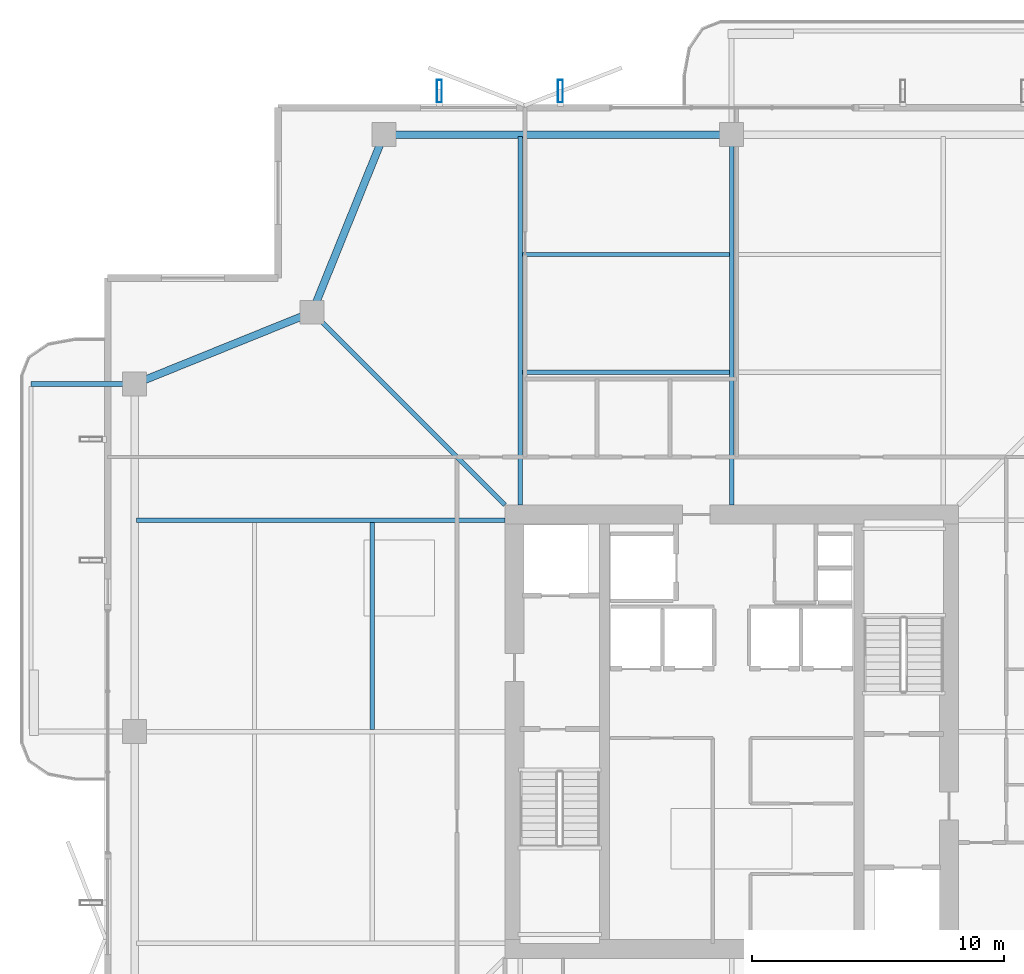
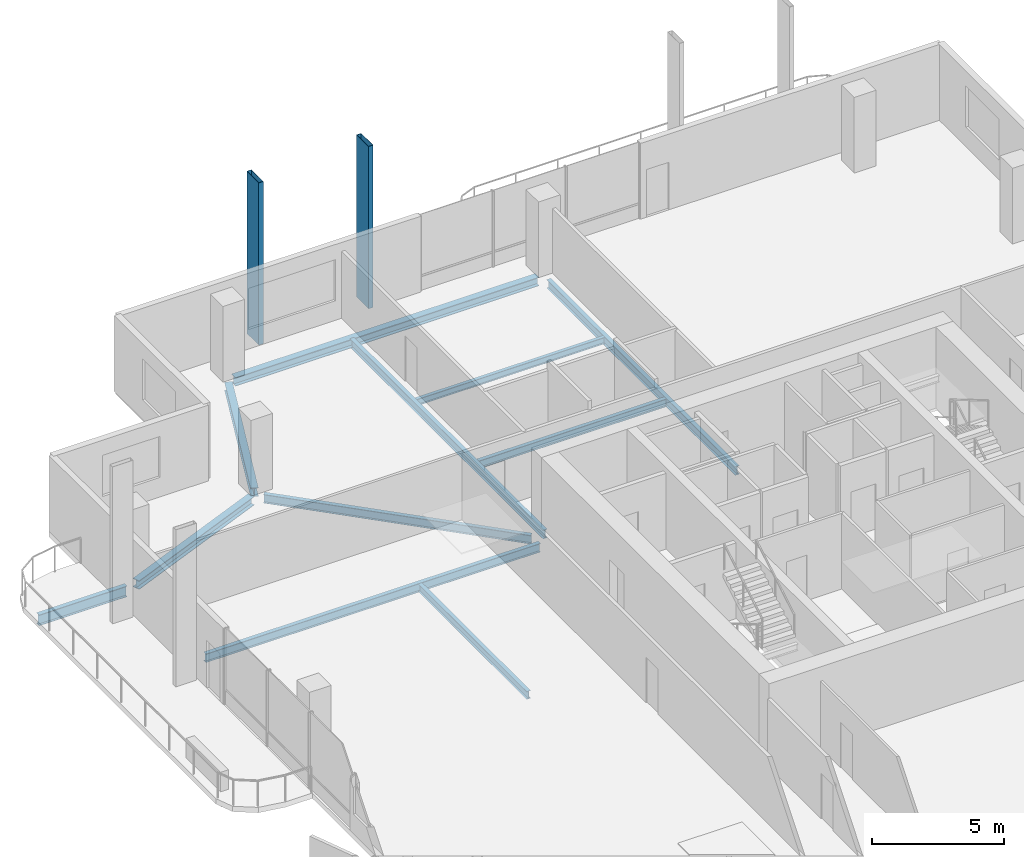
# One storey, part 12 of 25: 11 beams, 2 members.
"""IFC4 building model written with IfcOpenShell, lengths in metres."""

from ifc_helpers import new_model, si_unit, direction, frame, origin, origin_2d, place, context, subcontext, project, spatial, hollow_rectangle, i_section, extrude, material, material_profile, profile_set, type_object, element, save


model = new_model("IFC4")

# Units and contexts
model_context = context("Model", 3, precision=1e-05, world=origin(), true_north=direction((0.0, 1.0)))
body_context = subcontext(model_context, "Body", "Model", "MODEL_VIEW")
ifc_project = project(units=[si_unit("LENGTHUNIT", "METRE"), si_unit("AREAUNIT", "SQUARE_METRE"), si_unit("VOLUMEUNIT", "CUBIC_METRE"), si_unit("PLANEANGLEUNIT", "RADIAN"), si_unit("MASSUNIT", "GRAM", prefix="KILO")], contexts=[model_context])

# Site, building, storey
site_placement = place(None, origin())
site = spatial("IfcSite", under=ifc_project, at=site_placement, CompositionType="ELEMENT")
building_placement = place(site_placement, origin())
building = spatial("IfcBuilding", under=site, at=building_placement, Name="Belovzor Exchange Tower", CompositionType="ELEMENT")
storey_placement = place(building_placement, frame((0.0, 0.0, 265.35009765625)))
storey = spatial("IfcBuildingStorey", under=building, at=storey_placement, Name="L66", CompositionType="ELEMENT", Elevation=265.35009765625)

# Beams
ifc_material_1 = material(Name="Steel S355", Category="steel")
ifc_material_profile_1 = material_profile(ifc_material_1, i_section(OverallWidth=0.199951171875, OverallDepth=0.5, WebThickness=0.01025390625, FlangeThickness=0.01611328125, at=origin_2d()))
ifc_profile_set_1 = profile_set([ifc_material_profile_1], Name="Steel S355")
beam_type_1 = type_object("IfcBeamType", Name="Planted Balcony Cantilever Beam IPE 500", PredefinedType="BEAM", material=ifc_profile_set_1)
beam_1_placement = place(storey_placement, frame((4.839111328125, 42.60009765625, -0.5), z_axis=(-1.0, 0.0, 0.0), x_axis=(0.0, -1.0, 0.0)))
element("IfcBeam", 1, at=beam_1_placement, inside=storey, type_object=beam_type_1, Name="BC-500 Planted Balcony Cantilever Beam IPE 500", PredefinedType="BEAM", context=body_context, shape_type="SweptSolid", body=[
    extrude(i_section(OverallWidth=0.199951171875, OverallDepth=0.5, WebThickness=0.01025390625, FlangeThickness=0.01611328125, at=origin_2d()), origin(), (0.0, 0.0, 1.0), 3.85009765625),
])
ifc_material_2 = material(Name="Steel S355", Category="steel")
ifc_material_profile_2 = material_profile(ifc_material_2, i_section(OverallWidth=0.169921875, OverallDepth=0.360107421875, WebThickness=0.008056640625, FlangeThickness=0.0126953125, at=origin_2d()))
ifc_profile_set_2 = profile_set([ifc_material_profile_2], Name="Steel S355")
beam_type_2 = type_object("IfcBeamType", Name="Secondary Infill Floor Joist IPE 360", PredefinedType="BEAM", material=ifc_profile_set_2)
beam_2_placement = place(storey_placement, frame((20.489990234375, 43.06494140625, -0.43017578125), z_axis=(1.0, 0.0, 0.0), x_axis=(0.0, 1.0, 0.0)))
element("IfcBeam", 2, at=beam_2_placement, inside=storey, type_object=beam_type_2, Name="FJ-360 Secondary Infill Floor Joist IPE 360", PredefinedType="BEAM", context=body_context, shape_type="SweptSolid", body=[
    extrude(i_section(OverallWidth=0.169921875, OverallDepth=0.360107421875, WebThickness=0.008056640625, FlangeThickness=0.0126953125, at=origin_2d()), origin(), (0.0, 0.0, 1.0), 8.219970703125),
])
beam_3_placement = place(storey_placement, frame((14.534912109375, 28.889892578125, -0.43017578125), z_axis=(0.0, 1.0, 0.0), x_axis=(-1.0, 0.0, 0.0)))
element("IfcBeam", 3, at=beam_3_placement, inside=storey, type_object=beam_type_2, Name="FJ-360 Secondary Infill Floor Joist IPE 360", PredefinedType="BEAM", context=body_context, shape_type="SweptSolid", body=[
    extrude(i_section(OverallWidth=0.169921875, OverallDepth=0.360107421875, WebThickness=0.008056640625, FlangeThickness=0.0126953125, at=origin_2d()), origin(), (0.0, 0.0, 1.0), 8.22021484375),
])
ifc_material_3 = material(Name="Steel S355", Category="steel")
ifc_material_profile_3 = material_profile(ifc_material_3, i_section(OverallWidth=0.14990234375, OverallDepth=0.300048828125, WebThickness=0.007080078125, FlangeThickness=0.0107421875, at=origin_2d()))
ifc_profile_set_3 = profile_set([ifc_material_profile_3], Name="Steel S355")
beam_type_3 = type_object("IfcBeamType", Name="Secondary Trim Floor Joist IPE 300", PredefinedType="BEAM", material=ifc_profile_set_3)
beam_4_placement = place(storey_placement, frame((20.489990234375, 47.7451171875, -0.400146484375), z_axis=(1.0, 0.0, 0.0), x_axis=(0.0, 1.0, 0.0)))
element("IfcBeam", 4, at=beam_4_placement, inside=storey, type_object=beam_type_3, Name="FJ-300 Secondary Trim Floor Joist IPE 300", PredefinedType="BEAM", context=body_context, shape_type="SweptSolid", body=[
    extrude(i_section(OverallWidth=0.14990234375, OverallDepth=0.300048828125, WebThickness=0.007080078125, FlangeThickness=0.0107421875, at=origin_2d()), origin(), (0.0, 0.0, 1.0), 8.219970703125),
])

# Members
ifc_material_4 = material(Name="Extruded Architectural Terracotta on Steel S355 Carrier", Category="masonry")
ifc_material_profile_4 = material_profile(ifc_material_4, hollow_rectangle(XDim=0.199951171875, YDim=0.89990234375, WallThickness=0.011962890625, at=origin_2d()))
ifc_profile_set_4 = profile_set([ifc_material_profile_4], Name="Extruded Architectural Terracotta on Steel S355 Carrier")
member_type = type_object("IfcMemberType", Name="Sweeping Terracotta Baguette Fin Assembly 950", PredefinedType="USERDEFINED", material=ifc_profile_set_4)
for number, where, z_axis, x_axis, name in (
    (5, (17.199951171875, 54.22509765625, -0.25), (0.0, 0.0, 1.0), (1.0, 0.0, 0.0), "FIN-TC095 Terracotta Facade Fin L66 N1"),
    (6, (22.0, 54.22509765625, -0.25), (0.0, 0.0, 1.0), (1.0, 0.0, 0.0), "FIN-TC095 Terracotta Facade Fin L66 N2"),
):
    element("IfcMember", number, at=place(storey_placement, frame(where, z_axis=z_axis, x_axis=x_axis)), inside=storey, type_object=member_type, Name=name, ObjectType="FIN", PredefinedType="USERDEFINED", context=body_context, shape_type="SweptSolid", body=[
        extrude(hollow_rectangle(XDim=0.199951171875, YDim=0.89990234375, WallThickness=0.011962890625, at=origin_2d()), origin(), (0.0, 0.0, 1.0), 7.5),
    ])

# Beams
ifc_material_5 = material(Name="Steel S355", Category="steel")
ifc_material_profile_5 = material_profile(ifc_material_5, i_section(OverallWidth=0.300048828125, OverallDepth=0.39990234375, WebThickness=0.013427734375, FlangeThickness=0.02392578125, at=origin_2d()))
ifc_profile_set_5 = profile_set([ifc_material_profile_5], Name="Steel S355")
beam_type_4 = type_object("IfcBeamType", Name="Zone 5 Primary Girder HEB 400", PredefinedType="BEAM", material=ifc_profile_set_5)
beam_5_placement = place(storey_placement, frame((28.5390625, 52.5, -0.4501953125), z_axis=(-1.0, 0.0, 0.0), x_axis=(0.0, -1.0, 0.0)))
element("IfcBeam", 7, at=beam_5_placement, inside=storey, type_object=beam_type_4, Name="FG-Z5 Zone 5 Primary Girder HEB 400", PredefinedType="BEAM", context=body_context, shape_type="SweptSolid", body=[
    extrude(i_section(OverallWidth=0.300048828125, OverallDepth=0.39990234375, WebThickness=0.013427734375, FlangeThickness=0.02392578125, at=origin_2d()), origin(), (0.0, 0.0, 1.0), 13.278076171875),
])
beam_6_placement = place(storey_placement, frame((14.902099609375, 52.258056640625, -0.4501953125), z_axis=(-0.374746306278, -0.927127394661, 0.0), x_axis=(0.927127394661, -0.374746306278, 0.0)))
element("IfcBeam", 8, at=beam_6_placement, inside=storey, type_object=beam_type_4, Name="FG-Z5 Zone 5 Primary Girder HEB 400", PredefinedType="BEAM", context=body_context, shape_type="SweptSolid", body=[
    extrude(i_section(OverallWidth=0.300048828125, OverallDepth=0.39990234375, WebThickness=0.013427734375, FlangeThickness=0.02392578125, at=origin_2d()), origin(), (0.0, 0.0, 1.0), 7.082275390625),
])
beam_7_placement = place(storey_placement, frame((11.907958984375, 45.35205078125, -0.4501953125), z_axis=(-0.927122553345, -0.374758283536, 0.0), x_axis=(0.374758283536, -0.927122553345, 0.0)))
element("IfcBeam", 9, at=beam_7_placement, inside=storey, type_object=beam_type_4, Name="FG-Z5 Zone 5 Primary Girder HEB 400", PredefinedType="BEAM", context=body_context, shape_type="SweptSolid", body=[
    extrude(i_section(OverallWidth=0.300048828125, OverallDepth=0.39990234375, WebThickness=0.013427734375, FlangeThickness=0.02392578125, at=origin_2d()), origin(), (0.0, 0.0, 1.0), 7.08203125),
])
ifc_material_6 = material(Name="Steel S355", Category="steel")
ifc_material_profile_6 = material_profile(ifc_material_6, i_section(OverallWidth=0.179931640625, OverallDepth=0.39990234375, WebThickness=0.008544921875, FlangeThickness=0.013427734375, at=origin_2d()))
ifc_profile_set_6 = profile_set([ifc_material_profile_6], Name="Steel S355")
beam_type_5 = type_object("IfcBeamType", Name="Zone 5-6 Radial Composite Floor Beam IPE 400", PredefinedType="BEAM", material=ifc_profile_set_6)
beam_8_placement = place(storey_placement, frame((20.39990234375, 37.800048828125, -0.4501953125), z_axis=(0.0, 1.0, 0.0), x_axis=(-1.0, 0.0, 0.0)))
element("IfcBeam", 10, at=beam_8_placement, inside=storey, type_object=beam_type_5, Name="FB-400 Zone 5-6 Radial Composite Floor Beam IPE 400", PredefinedType="BEAM", context=body_context, shape_type="SweptSolid", body=[
    extrude(i_section(OverallWidth=0.179931640625, OverallDepth=0.39990234375, WebThickness=0.008544921875, FlangeThickness=0.013427734375, at=origin_2d()), origin(), (0.0, 0.0, 1.0), 14.625),
])
beam_9_placement = place(storey_placement, frame((28.800048828125, 37.800048828125, -0.4501953125), z_axis=(0.0, 1.0, 0.0), x_axis=(-1.0, 0.0, 0.0)))
element("IfcBeam", 11, at=beam_9_placement, inside=storey, type_object=beam_type_5, Name="FB-400 Zone 5-6 Radial Composite Floor Beam IPE 400", PredefinedType="BEAM", context=body_context, shape_type="SweptSolid", body=[
    extrude(i_section(OverallWidth=0.179931640625, OverallDepth=0.39990234375, WebThickness=0.008544921875, FlangeThickness=0.013427734375, at=origin_2d()), origin(), (0.0, 0.0, 1.0), 14.281982421875),
])
beam_10_placement = place(storey_placement, frame((19.800048828125, 37.199951171875, -0.4501953125), z_axis=(-1.0, 0.0, 0.0), x_axis=(0.0, -1.0, 0.0)))
element("IfcBeam", 12, at=beam_10_placement, inside=storey, type_object=beam_type_5, Name="FB-400 Zone 5-6 Radial Composite Floor Beam IPE 400", PredefinedType="BEAM", context=body_context, shape_type="SweptSolid", body=[
    extrude(i_section(OverallWidth=0.179931640625, OverallDepth=0.39990234375, WebThickness=0.008544921875, FlangeThickness=0.013427734375, at=origin_2d()), origin(), (0.0, 0.0, 1.0), 14.625),
])
beam_11_placement = place(storey_placement, frame((19.800048828125, 37.800048828125, -0.4501953125), z_axis=(-0.707071845944, 0.707141714703, 0.0), x_axis=(-0.707141714703, -0.707071845944, 0.0)))
element("IfcBeam", 13, at=beam_11_placement, inside=storey, type_object=beam_type_5, Name="FB-400 Zone 5-6 Radial Composite Floor Beam IPE 400", PredefinedType="BEAM", context=body_context, shape_type="SweptSolid", body=[
    extrude(i_section(OverallWidth=0.179931640625, OverallDepth=0.39990234375, WebThickness=0.008544921875, FlangeThickness=0.013427734375, at=origin_2d()), origin(), (0.0, 0.0, 1.0), 10.48291015625),
])

save(model, "model.ifc")
